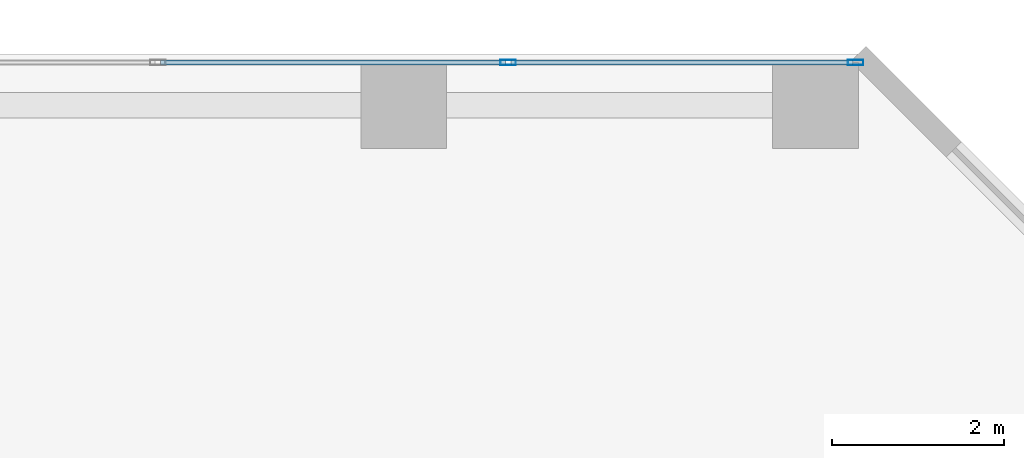
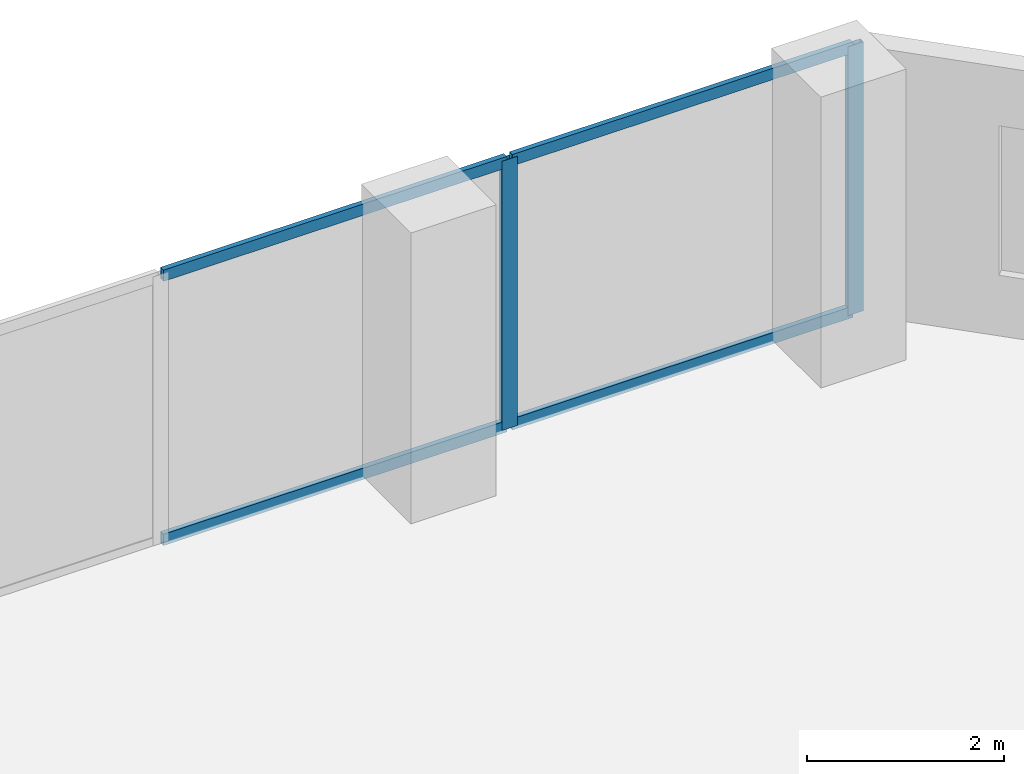
# One storey, part 25 of 31: 6 members, 1 element without a shape of its own.
"""IFC4 building model written with IfcOpenShell, lengths in metres."""

from ifc_helpers import new_model, si_unit, direction, frame, origin, origin_2d, place, context, subcontext, project, spatial, hollow_rectangle, extrude, material, layer, layer_set, material_profile, profile_set, type_object, element, aggregate, save


model = new_model("IFC4")

# Units and contexts
model_context = context("Model", 3, precision=1e-05, world=origin(), true_north=direction((0.0, 1.0)))
body_context = subcontext(model_context, "Body", "Model", "MODEL_VIEW")
ifc_project = project(units=[si_unit("LENGTHUNIT", "METRE"), si_unit("AREAUNIT", "SQUARE_METRE"), si_unit("VOLUMEUNIT", "CUBIC_METRE"), si_unit("PLANEANGLEUNIT", "RADIAN"), si_unit("MASSUNIT", "GRAM", prefix="KILO")], contexts=[model_context])

# Site, building, storey
site_placement = place(None, origin())
site = spatial("IfcSite", under=ifc_project, at=site_placement, CompositionType="ELEMENT")
building_placement = place(site_placement, origin())
building = spatial("IfcBuilding", under=site, at=building_placement, Name="Catumbela Crestline Tower", CompositionType="ELEMENT")
storey_placement = place(building_placement, frame((0.0, 0.0, 36.6)))
storey = spatial("IfcBuildingStorey", under=building, at=storey_placement, Name="L08", CompositionType="ELEMENT", Elevation=36.6)

# Curtain wall, members
ifc_material = material(Name="Aluminium alloy AW-6060-T66", Category="aluminium")
ifc_layer = layer(ifc_material, 0.18, Name="Aluminium alloy AW-6060-T66")
ifc_layer_set = layer_set([ifc_layer], Name="Aluminium alloy AW-6060-T66")
curtain_wall_type = type_object("IfcCurtainWallType", Name="CWU-Z1", PredefinedType="USERDEFINED", material=ifc_layer_set)
curtain_wall_placement = place(storey_placement, origin())
curtain_wall = element("IfcCurtainWall", 1, at=curtain_wall_placement, inside=storey, type_object=curtain_wall_type, Name="L08 Unitised Curtain Wall CW-L08-E7S1", ObjectType="UNITISED", PredefinedType="USERDEFINED")
ifc_material_profile_1 = material_profile(ifc_material, hollow_rectangle(XDim=0.065, YDim=0.18, WallThickness=0.004, at=origin_2d()), Name="ALU 180x65x4")
ifc_profile_set_1 = profile_set([ifc_material_profile_1], Name="Aluminium alloy AW-6060-T66")
member_type_1 = type_object("IfcMemberType", Name="MUL-180X65", PredefinedType="MULLION", material=ifc_profile_set_1)
member_1_placement = place(storey_placement, frame((52.4675, 47.9, 0.0), z_axis=(0.0, 0.0, 1.0), x_axis=(0.0, -1.0, 0.0)))
member_1 = element("IfcMember", 2, at=member_1_placement, type_object=member_type_1, Name="CWU-Z1 mullion 1", PredefinedType="MULLION", context=body_context, shape_type="SweptSolid", body=[
    extrude(hollow_rectangle(XDim=0.065, YDim=0.18, WallThickness=0.004, at=origin_2d()), origin(), (0.0, 0.0, 1.0), 3.33),
])
member_2_placement = place(storey_placement, frame((48.4167, 47.9, 0.0), z_axis=(0.0, 0.0, 1.0), x_axis=(0.0, -1.0, 0.0)))
member_2 = element("IfcMember", 3, at=member_2_placement, type_object=member_type_1, Name="CWU-Z1 mullion 2", PredefinedType="MULLION", context=body_context, shape_type="SweptSolid", body=[
    extrude(hollow_rectangle(XDim=0.065, YDim=0.18, WallThickness=0.004, at=origin_2d()), origin(), (0.0, 0.0, 1.0), 3.33),
])
ifc_material_profile_2 = material_profile(ifc_material, hollow_rectangle(XDim=0.06, YDim=0.14, WallThickness=0.004, at=origin_2d()), Name="ALU 140x60x4")
ifc_profile_set_2 = profile_set([ifc_material_profile_2], Name="Aluminium alloy AW-6060-T66")
member_type_2 = type_object("IfcMemberType", Name="TRN-140X60", PredefinedType="USERDEFINED", material=ifc_profile_set_2)
member_3_placement = place(storey_placement, frame((52.435, 47.9, 0.03), z_axis=(-1.0, 0.0, 0.0), x_axis=(0.0, -1.0, 0.0)))
member_3 = element("IfcMember", 4, at=member_3_placement, type_object=member_type_2, Name="CWU-Z1 transom 1.1", ObjectType="TRANSOM", PredefinedType="USERDEFINED", context=body_context, shape_type="SweptSolid", body=[
    extrude(hollow_rectangle(XDim=0.06, YDim=0.14, WallThickness=0.004, at=origin_2d()), origin(), (0.0, 0.0, 1.0), 3.9858),
])
member_4_placement = place(storey_placement, frame((52.435, 47.9, 3.3), z_axis=(-1.0, 0.0, 0.0), x_axis=(0.0, -1.0, 0.0)))
member_4 = element("IfcMember", 5, at=member_4_placement, type_object=member_type_2, Name="CWU-Z1 transom 1.2", ObjectType="TRANSOM", PredefinedType="USERDEFINED", context=body_context, shape_type="SweptSolid", body=[
    extrude(hollow_rectangle(XDim=0.06, YDim=0.14, WallThickness=0.004, at=origin_2d()), origin(), (0.0, 0.0, 1.0), 3.9858),
])
member_5_placement = place(storey_placement, frame((48.3842, 47.9, 0.03), z_axis=(-1.0, 0.0, 0.0), x_axis=(0.0, -1.0, 0.0)))
member_5 = element("IfcMember", 6, at=member_5_placement, type_object=member_type_2, Name="CWU-Z1 transom 2.1", ObjectType="TRANSOM", PredefinedType="USERDEFINED", context=body_context, shape_type="SweptSolid", body=[
    extrude(hollow_rectangle(XDim=0.06, YDim=0.14, WallThickness=0.004, at=origin_2d()), origin(), (0.0, 0.0, 1.0), 4.0184),
])
member_6_placement = place(storey_placement, frame((48.3842, 47.9, 3.3), z_axis=(-1.0, 0.0, 0.0), x_axis=(0.0, -1.0, 0.0)))
member_6 = element("IfcMember", 7, at=member_6_placement, type_object=member_type_2, Name="CWU-Z1 transom 2.2", ObjectType="TRANSOM", PredefinedType="USERDEFINED", context=body_context, shape_type="SweptSolid", body=[
    extrude(hollow_rectangle(XDim=0.06, YDim=0.14, WallThickness=0.004, at=origin_2d()), origin(), (0.0, 0.0, 1.0), 4.0184),
])
aggregate(curtain_wall, [member_1, member_2, member_3, member_4, member_5, member_6])

save(model, "model.ifc")
